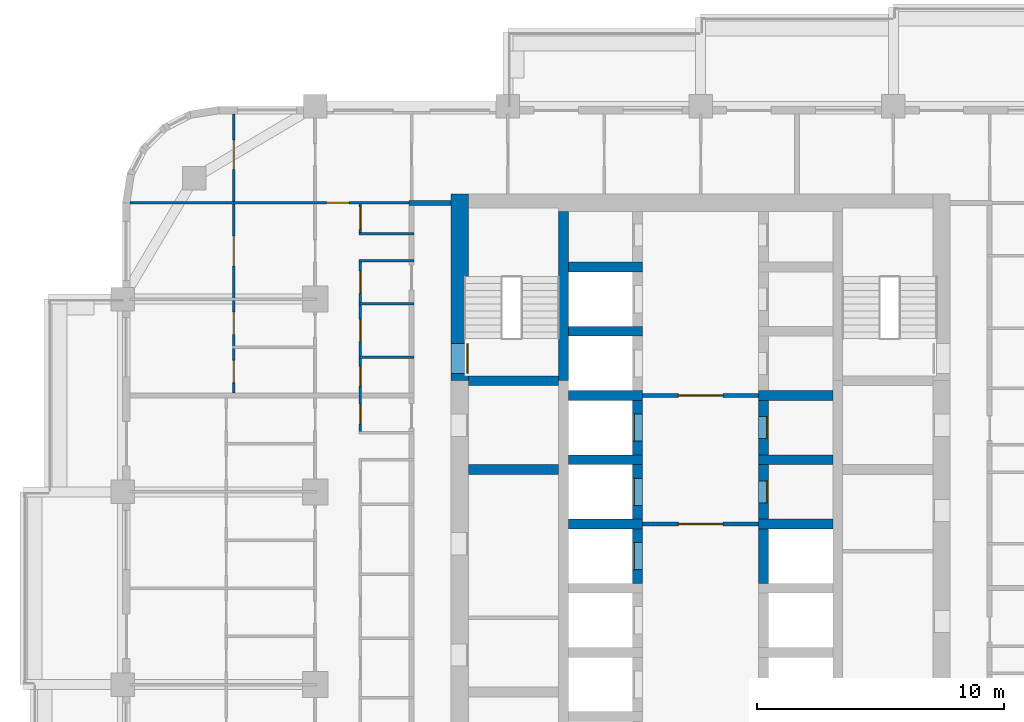
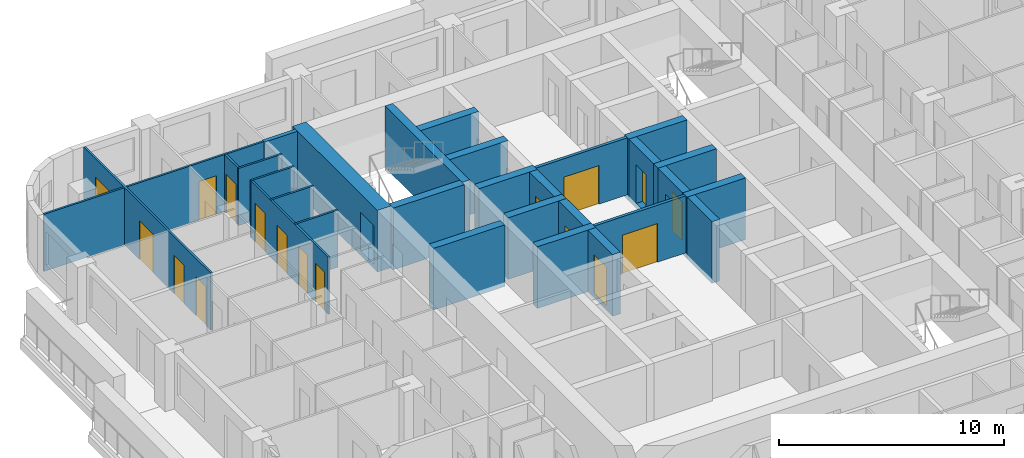
# One storey, part 10 of 17: 29 walls, 18 doors, 18 openings.
"""IFC4 building model written with IfcOpenShell, lengths in metres."""

from ifc_helpers import new_model, si_unit, direction, frame, frame_2d, origin, place, context, subcontext, project, spatial, rectangle, extrude, material, layer, layer_set, type_object, element, fill, save


model = new_model("IFC4")

# Units and contexts
model_context = context("Model", 3, precision=1e-05, world=origin(), true_north=direction((0.0, 1.0)))
body_context = subcontext(model_context, "Body", "Model", "MODEL_VIEW")
ifc_project = project(units=[si_unit("LENGTHUNIT", "METRE"), si_unit("AREAUNIT", "SQUARE_METRE"), si_unit("VOLUMEUNIT", "CUBIC_METRE"), si_unit("PLANEANGLEUNIT", "RADIAN"), si_unit("MASSUNIT", "GRAM", prefix="KILO")], contexts=[model_context])

# Site, building, storey
site_placement = place(None, origin())
site = spatial("IfcSite", under=ifc_project, at=site_placement, CompositionType="ELEMENT")
building_placement = place(site_placement, origin())
building = spatial("IfcBuilding", under=site, at=building_placement, Name="Ludao Terraces", CompositionType="ELEMENT")
storey_placement = place(building_placement, frame((0.0, 0.0, 92.0)))
storey = spatial("IfcBuildingStorey", under=building, at=storey_placement, Name="L25", CompositionType="ELEMENT", Elevation=92.0)

# Wall, opening, door
ifc_material_1 = material(Name="Concrete C70", Category="concrete")
ifc_layer_1 = layer(ifc_material_1, 0.699951171875)
ifc_layer_set_1 = layer_set([ifc_layer_1], Name="Core wall 700 C70")
wall_type_1 = type_object("IfcWallType", Name="Core wall 700 C70", PredefinedType="SOLIDWALL", material=ifc_layer_set_1)
wall_1_placement = place(storey_placement, frame((75.25, 77.300048828125, -0.25), z_axis=(0.0, 0.0, 1.0), x_axis=(0.0, 1.0, 0.0)))
wall_1 = element("IfcWall", 1, at=wall_1_placement, inside=storey, type_object=wall_type_1, Name="Core wall L25 outer-W-S1", PredefinedType="SOLIDWALL", context=body_context, shape_type="SweptSolid", body=[
    extrude(rectangle(XDim=7.550048828125, YDim=0.699951171875, at=frame_2d((3.77490234375, 0.0))), origin(), (0.0, 0.0, 1.0), 3.35009765625),
])
opening_1_placement = place(wall_1_placement, frame((0.300048828125, 0.0, 0.25)))
opening_1 = element("IfcOpeningElement", 2, at=opening_1_placement, cuts=wall_1, Name="Opening R07-131", PredefinedType="OPENING", context=body_context, shape_type="SweptSolid", body=[
    extrude(rectangle(XDim=1.199951171875, YDim=2.10009765625, at=frame_2d((0.60009765625, 1.050048828125))), frame((0.0, 0.35986328125, 0.0), z_axis=(0.0, -1.0, 0.0), x_axis=(1.0, 0.0, 0.0)), (0.0, 0.0, 1.0), 0.719970703125),
])
ifc_material_2 = material(Name="Steel Q235", Category="steel")
door_type_1 = type_object("IfcDoorType", Name="INT Stair door 1200", OperationType="DOUBLE_DOOR_SINGLE_SWING", PredefinedType="DOOR", material=ifc_material_2)
door_1_placement = place(opening_1_placement, origin())
door_1 = element("IfcDoor", 3, at=door_1_placement, inside=storey, type_object=door_type_1, Name="DOOR 131", OperationType="DOUBLE_DOOR_SINGLE_SWING", OverallHeight=2.10009765625, OverallWidth=1.199951171875, PredefinedType="DOOR", context=body_context, shape_type="SweptSolid", body=[
    extrude(rectangle(XDim=1.199951171875, YDim=2.10009765625, at=frame_2d((0.60009765625, 1.050048828125))), frame((0.0, -0.28515625, 0.0), z_axis=(0.0, -1.0, 0.0), x_axis=(1.0, 0.0, 0.0)), (0.0, 0.0, 1.0), 0.050048828125),
])
fill(opening_1, door_1)

ifc_material_3 = material(Name="Fire-rated gypsum plasterboard", Category="gypsum")
ifc_layer_2 = layer(ifc_material_3, 0.012451171875, Category="gypsum")
ifc_material_4 = material(Name="Mineral wool")
ifc_layer_3 = layer(ifc_material_4, 0.10009765625, Name="insulation")
ifc_layer_4 = layer(ifc_material_2, 0.02490234375, Name="stud")
ifc_layer_5 = layer(ifc_material_3, 0.012451171875, Category="gypsum")
ifc_layer_set_2 = layer_set([ifc_layer_2, ifc_layer_3, ifc_layer_4, ifc_layer_5], Name="INT Core partition 150")
wall_type_2 = type_object("IfcWallType", Name="INT Core partition 150", PredefinedType="PARTITIONING", material=ifc_layer_set_2)
wall_2_placement = place(storey_placement, frame((82.650146484375, 71.5, 0.0), z_axis=(0.0, 0.0, 1.0), x_axis=(1.0, 0.0, 0.0)))
wall_2 = element("IfcWall", 4, at=wall_2_placement, inside=storey, type_object=wall_type_2, Name="PW-L25-PW052", PredefinedType="PARTITIONING", context=body_context, shape_type="SweptSolid", body=[
    extrude(rectangle(XDim=4.699951171875, YDim=0.14990234375, at=frame_2d((2.35009765625, 0.0))), origin(), (0.0, 0.0, 1.0), 3.10009765625),
])
opening_2_placement = place(wall_2_placement, frame((1.449951171875, 0.0, 0.0)))
opening_2 = element("IfcOpeningElement", 5, at=opening_2_placement, cuts=wall_2, Name="Opening R07-103", PredefinedType="OPENING", context=body_context, shape_type="SweptSolid", body=[
    extrude(rectangle(XDim=1.800048828125, YDim=2.10009765625, at=frame_2d((0.89990234375, 1.050048828125))), frame((0.0, 0.0849609375, 0.0), z_axis=(0.0, -1.0, 0.0), x_axis=(1.0, 0.0, 0.0)), (0.0, 0.0, 1.0), 0.169921875),
])
door_type_2 = type_object("IfcDoorType", Name="INT Fire lobby door 1800", OperationType="DOUBLE_DOOR_SINGLE_SWING", PredefinedType="DOOR", material=ifc_material_2)
door_2_placement = place(opening_2_placement, origin())
door_2 = element("IfcDoor", 6, at=door_2_placement, inside=storey, type_object=door_type_2, Name="DOOR 103", OperationType="DOUBLE_DOOR_SINGLE_SWING", OverallHeight=2.10009765625, OverallWidth=1.800048828125, PredefinedType="DOOR", context=body_context, shape_type="SweptSolid", body=[
    extrude(rectangle(XDim=1.800048828125, YDim=2.10009765625, at=frame_2d((0.89990234375, 1.050048828125))), frame((0.0, 0.02490234375, 0.0), z_axis=(0.0, -1.0, 0.0), x_axis=(1.0, 0.0, 0.0)), (0.0, 0.0, 1.0), 0.050048828125),
])
fill(opening_2, door_2)

wall_3_placement = place(storey_placement, frame((82.650146484375, 76.699951171875, 0.0), z_axis=(0.0, 0.0, 1.0), x_axis=(1.0, 0.0, 0.0)))
wall_3 = element("IfcWall", 7, at=wall_3_placement, inside=storey, type_object=wall_type_2, Name="PW-L25-PW062", PredefinedType="PARTITIONING", context=body_context, shape_type="SweptSolid", body=[
    extrude(rectangle(XDim=4.699951171875, YDim=0.14990234375, at=frame_2d((2.35009765625, 0.0))), origin(), (0.0, 0.0, 1.0), 3.10009765625),
])
opening_3_placement = place(wall_3_placement, frame((1.449951171875, 0.0, 0.0)))
opening_3 = element("IfcOpeningElement", 8, at=opening_3_placement, cuts=wall_3, Name="Opening R07-126", PredefinedType="OPENING", context=body_context, shape_type="SweptSolid", body=[
    extrude(rectangle(XDim=1.800048828125, YDim=2.10009765625, at=frame_2d((0.89990234375, 1.050048828125))), frame((0.0, 0.0849609375, 0.0), z_axis=(0.0, -1.0, 0.0), x_axis=(1.0, 0.0, 0.0)), (0.0, 0.0, 1.0), 0.169921875),
])
door_3_placement = place(opening_3_placement, origin())
door_3 = element("IfcDoor", 9, at=door_3_placement, inside=storey, type_object=door_type_2, Name="DOOR 126", OperationType="DOUBLE_DOOR_SINGLE_SWING", OverallHeight=2.10009765625, OverallWidth=1.800048828125, PredefinedType="DOOR", context=body_context, shape_type="SweptSolid", body=[
    extrude(rectangle(XDim=1.800048828125, YDim=2.10009765625, at=frame_2d((0.89990234375, 1.050048828125))), frame((0.0, 0.02490234375, 0.0), z_axis=(0.0, -1.0, 0.0), x_axis=(1.0, 0.0, 0.0)), (0.0, 0.0, 1.0), 0.050048828125),
])
fill(opening_3, door_3)

# Walls
ifc_material_5 = material(Name="Autoclaved aerated concrete block B06 A3.5", Category="concrete")
ifc_layer_6 = layer(ifc_material_5, 0.199951171875)
ifc_layer_set_3 = layer_set([ifc_layer_6], Name="INT Entrance wall 200")
wall_type_3 = type_object("IfcWallType", Name="INT Entrance wall 200", PredefinedType="PARTITIONING", material=ifc_layer_set_3)
wall_4_placement = place(storey_placement, frame((73.2001953125, 84.5, 0.0), z_axis=(0.0, 0.0, 1.0), x_axis=(1.0, 0.0, 0.0)))
element("IfcWall", 10, at=wall_4_placement, inside=storey, type_object=wall_type_3, Name="PW-L25-PW076", PredefinedType="PARTITIONING", context=body_context, shape_type="SweptSolid", body=[
    extrude(rectangle(XDim=1.699951171875, YDim=0.199951171875, at=frame_2d((0.85009765625, 0.0))), origin(), (0.0, 0.0, 1.0), 3.10009765625),
])
ifc_material_6 = material(Name="Gypsum plasterboard", Category="gypsum")
ifc_layer_7 = layer(ifc_material_6, 0.012451171875, Category="gypsum")
ifc_layer_8 = layer(ifc_material_4, 0.06005859375, Name="insulation")
ifc_layer_9 = layer(ifc_material_2, 0.014892578125, Name="stud")
ifc_layer_10 = layer(ifc_material_6, 0.012451171875, Category="gypsum")
ifc_layer_set_4 = layer_set([ifc_layer_7, ifc_layer_8, ifc_layer_9, ifc_layer_10], Name="INT Partition 100")
wall_type_4 = type_object("IfcWallType", Name="INT Partition 100", PredefinedType="PARTITIONING", material=ifc_layer_set_4)
for number, where, z_axis, x_axis, name in (
    (11, (71.18017578125, 78.25, 0.0), (0.0, 0.0, 1.0), (1.0, 0.0, 0.0), "PW-L25-PW065"),
    (12, (71.18017578125, 80.419921875, 0.0), (0.0, 0.0, 1.0), (1.0, 0.0, 0.0), "PW-L25-PW068"),
    (13, (71.18017578125, 82.14990234375, 0.0), (0.0, 0.0, 1.0), (1.0, 0.0, 0.0), "PW-L25-PW071"),
    (14, (71.18017578125, 83.25, 0.0), (0.0, 0.0, 1.0), (1.0, 0.0, 0.0), "PW-L25-PW074"),
):
    element("IfcWall", number, at=place(storey_placement, frame(where, z_axis=z_axis, x_axis=x_axis)), inside=storey, type_object=wall_type_4, Name=name, PredefinedType="PARTITIONING", context=body_context, shape_type="SweptSolid", body=[
        extrude(rectangle(XDim=2.219970703125, YDim=0.10009765625, at=frame_2d((1.10986328125, 0.0))), origin(), (0.0, 0.0, 1.0), 3.10009765625),
    ])

# Wall, opening, door
wall_5_placement = place(storey_placement, frame((61.900146484375, 84.5, 0.0), z_axis=(0.0, 0.0, 1.0), x_axis=(1.0, 0.0, 0.0)))
wall_5 = element("IfcWall", 15, at=wall_5_placement, inside=storey, type_object=wall_type_4, Name="PW-L25-PW075", PredefinedType="PARTITIONING", context=body_context, shape_type="SweptSolid", body=[
    extrude(rectangle(XDim=11.5, YDim=0.10009765625, at=frame_2d((5.75, 0.0))), origin(), (0.0, 0.0, 1.0), 3.10009765625),
])
opening_4_placement = place(wall_5_placement, frame((7.965087890625, 0.0, 0.0)))
opening_4 = element("IfcOpeningElement", 16, at=opening_4_placement, cuts=wall_5, Name="Opening R07-153", PredefinedType="OPENING", context=body_context, shape_type="SweptSolid", body=[
    extrude(rectangle(XDim=0.89990234375, YDim=2.10009765625, at=frame_2d((0.449951171875, 1.050048828125))), frame((0.0, 0.06005859375, 0.0), z_axis=(0.0, -1.0, 0.0), x_axis=(1.0, 0.0, 0.0)), (0.0, 0.0, 1.0), 0.1201171875),
])
ifc_material_7 = material(Name="Timber door leaf", Category="wood")
door_type_3 = type_object("IfcDoorType", Name="INT Room door 900", OperationType="SINGLE_SWING_LEFT", PredefinedType="DOOR", material=ifc_material_7)
door_4_placement = place(opening_4_placement, origin())
door_4 = element("IfcDoor", 17, at=door_4_placement, inside=storey, type_object=door_type_3, Name="DOOR 153", OperationType="SINGLE_SWING_RIGHT", OverallHeight=2.10009765625, OverallWidth=0.89990234375, PredefinedType="DOOR", context=body_context, shape_type="SweptSolid", body=[
    extrude(rectangle(XDim=0.89990234375, YDim=2.10009765625, at=frame_2d((0.449951171875, 1.050048828125))), frame((0.0, 0.02490234375, 0.0), z_axis=(0.0, -1.0, 0.0), x_axis=(1.0, 0.0, 0.0)), (0.0, 0.0, 1.0), 0.050048828125),
])
fill(opening_4, door_4)

# Wall, openings, doors
wall_6_placement = place(storey_placement, frame((66.10009765625, 76.800048828125, 0.0), z_axis=(0.0, 0.0, 1.0), x_axis=(0.0, 1.0, 0.0)))
wall_6 = element("IfcWall", 18, at=wall_6_placement, inside=storey, type_object=wall_type_4, Name="PW-L25-PW081", PredefinedType="PARTITIONING", context=body_context, shape_type="SweptSolid", body=[
    extrude(rectangle(XDim=11.300048828125, YDim=0.10009765625, at=frame_2d((5.64990234375, 0.0))), origin(), (0.0, 0.0, 1.0), 3.10009765625),
])
opening_5_placement = place(wall_6_placement, frame((0.425048828125, 0.0, 0.0)))
opening_5 = element("IfcOpeningElement", 19, at=opening_5_placement, cuts=wall_6, Name="Opening R07-128", PredefinedType="OPENING", context=body_context, shape_type="SweptSolid", body=[
    extrude(rectangle(XDim=0.89990234375, YDim=2.10009765625, at=frame_2d((0.449951171875, 1.050048828125))), frame((0.0, 0.06005859375, 0.0), z_axis=(0.0, -1.0, 0.0), x_axis=(1.0, 0.0, 0.0)), (0.0, 0.0, 1.0), 0.1201171875),
])
opening_6_placement = place(wall_6_placement, frame((2.375, 0.0, 0.0)))
opening_6 = element("IfcOpeningElement", 20, at=opening_6_placement, cuts=wall_6, Name="Opening R07-138", PredefinedType="OPENING", context=body_context, shape_type="SweptSolid", body=[
    extrude(rectangle(XDim=0.89990234375, YDim=2.10009765625, at=frame_2d((0.449951171875, 1.050048828125))), frame((0.0, 0.06005859375, 0.0), z_axis=(0.0, -1.0, 0.0), x_axis=(1.0, 0.0, 0.0)), (0.0, 0.0, 1.0), 0.1201171875),
])
opening_7_placement = place(wall_6_placement, frame((5.14990234375, 0.0, 0.0)))
opening_7 = element("IfcOpeningElement", 21, at=opening_7_placement, cuts=wall_6, Name="Opening R07-145", PredefinedType="OPENING", context=body_context, shape_type="SweptSolid", body=[
    extrude(rectangle(XDim=1.199951171875, YDim=2.10009765625, at=frame_2d((0.60009765625, 1.050048828125))), frame((0.0, 0.06005859375, 0.0), z_axis=(0.0, -1.0, 0.0), x_axis=(1.0, 0.0, 0.0)), (0.0, 0.0, 1.0), 0.1201171875),
])
opening_8_placement = place(wall_6_placement, frame((9.050048828125, 0.0, 0.0)))
opening_8 = element("IfcOpeningElement", 22, at=opening_8_placement, cuts=wall_6, Name="Opening R07-155", PredefinedType="OPENING", context=body_context, shape_type="SweptSolid", body=[
    extrude(rectangle(XDim=1.199951171875, YDim=2.10009765625, at=frame_2d((0.60009765625, 1.050048828125))), frame((0.0, 0.06005859375, 0.0), z_axis=(0.0, -1.0, 0.0), x_axis=(1.0, 0.0, 0.0)), (0.0, 0.0, 1.0), 0.1201171875),
])
door_type_4 = type_object("IfcDoorType", Name="INT Bathroom door 900", OperationType="SINGLE_SWING_LEFT", PredefinedType="DOOR", material=ifc_material_7)
door_5_placement = place(opening_5_placement, origin())
door_5 = element("IfcDoor", 23, at=door_5_placement, inside=storey, type_object=door_type_4, Name="DOOR 128", OperationType="SINGLE_SWING_RIGHT", OverallHeight=2.10009765625, OverallWidth=0.89990234375, PredefinedType="DOOR", context=body_context, shape_type="SweptSolid", body=[
    extrude(rectangle(XDim=0.89990234375, YDim=2.10009765625, at=frame_2d((0.449951171875, 1.050048828125))), frame((0.0, 0.02490234375, 0.0), z_axis=(0.0, -1.0, 0.0), x_axis=(1.0, 0.0, 0.0)), (0.0, 0.0, 1.0), 0.050048828125),
])
fill(opening_5, door_5)
door_type_5 = type_object("IfcDoorType", Name="INT Double door 1200", OperationType="DOUBLE_DOOR_SINGLE_SWING", PredefinedType="DOOR", material=ifc_material_7)
door_6_placement = place(opening_7_placement, origin())
door_6 = element("IfcDoor", 24, at=door_6_placement, inside=storey, type_object=door_type_5, Name="DOOR 145", OperationType="DOUBLE_DOOR_SINGLE_SWING", OverallHeight=2.10009765625, OverallWidth=1.199951171875, PredefinedType="DOOR", context=body_context, shape_type="SweptSolid", body=[
    extrude(rectangle(XDim=1.199951171875, YDim=2.10009765625, at=frame_2d((0.60009765625, 1.050048828125))), frame((0.0, 0.02490234375, 0.0), z_axis=(0.0, -1.0, 0.0), x_axis=(1.0, 0.0, 0.0)), (0.0, 0.0, 1.0), 0.050048828125),
])
fill(opening_7, door_6)
door_7_placement = place(opening_8_placement, origin())
door_7 = element("IfcDoor", 25, at=door_7_placement, inside=storey, type_object=door_type_5, Name="DOOR 155", OperationType="DOUBLE_DOOR_SINGLE_SWING", OverallHeight=2.10009765625, OverallWidth=1.199951171875, PredefinedType="DOOR", context=body_context, shape_type="SweptSolid", body=[
    extrude(rectangle(XDim=1.199951171875, YDim=2.10009765625, at=frame_2d((0.60009765625, 1.050048828125))), frame((0.0, 0.02490234375, 0.0), z_axis=(0.0, -1.0, 0.0), x_axis=(1.0, 0.0, 0.0)), (0.0, 0.0, 1.0), 0.050048828125),
])
fill(opening_8, door_7)
door_8_placement = place(opening_6_placement, origin())
door_8 = element("IfcDoor", 26, at=door_8_placement, inside=storey, type_object=door_type_3, Name="DOOR 138", OperationType="SINGLE_SWING_RIGHT", OverallHeight=2.10009765625, OverallWidth=0.89990234375, PredefinedType="DOOR", context=body_context, shape_type="SweptSolid", body=[
    extrude(rectangle(XDim=0.89990234375, YDim=2.10009765625, at=frame_2d((0.449951171875, 1.050048828125))), frame((0.0, 0.02490234375, 0.0), z_axis=(0.0, -1.0, 0.0), x_axis=(1.0, 0.0, 0.0)), (0.0, 0.0, 1.0), 0.050048828125),
])
fill(opening_6, door_8)

wall_7_placement = place(storey_placement, frame((71.22998046875, 75.25, 0.0), z_axis=(0.0, 0.0, 1.0), x_axis=(0.0, 1.0, 0.0)))
wall_7 = element("IfcWall", 27, at=wall_7_placement, inside=storey, type_object=wall_type_4, Name="PW-L25-PW085", PredefinedType="PARTITIONING", context=body_context, shape_type="SweptSolid", body=[
    extrude(rectangle(XDim=6.85009765625, YDim=0.10009765625, at=frame_2d((3.425048828125, 0.0))), origin(), (0.0, 0.0, 1.0), 3.10009765625),
])
opening_9_placement = place(wall_7_placement, frame((0.300048828125, 0.0, 0.0)))
opening_9 = element("IfcOpeningElement", 28, at=opening_9_placement, cuts=wall_7, Name="Opening R07-125", PredefinedType="OPENING", context=body_context, shape_type="SweptSolid", body=[
    extrude(rectangle(XDim=0.800048828125, YDim=2.10009765625, at=frame_2d((0.39990234375, 1.050048828125))), frame((0.0, 0.06005859375, 0.0), z_axis=(0.0, -1.0, 0.0), x_axis=(1.0, 0.0, 0.0)), (0.0, 0.0, 1.0), 0.1201171875),
])
opening_10_placement = place(wall_7_placement, frame((1.8251953125, 0.0, 0.0)))
opening_10 = element("IfcOpeningElement", 29, at=opening_10_placement, cuts=wall_7, Name="Opening R07-127", PredefinedType="OPENING", context=body_context, shape_type="SweptSolid", body=[
    extrude(rectangle(XDim=0.800048828125, YDim=2.10009765625, at=frame_2d((0.39990234375, 1.050048828125))), frame((0.0, 0.06005859375, 0.0), z_axis=(0.0, -1.0, 0.0), x_axis=(1.0, 0.0, 0.0)), (0.0, 0.0, 1.0), 0.1201171875),
])
opening_11_placement = place(wall_7_placement, frame((3.635009765625, 0.0, 0.0)))
opening_11 = element("IfcOpeningElement", 30, at=opening_11_placement, cuts=wall_7, Name="Opening R07-136", PredefinedType="OPENING", context=body_context, shape_type="SweptSolid", body=[
    extrude(rectangle(XDim=0.89990234375, YDim=2.10009765625, at=frame_2d((0.449951171875, 1.050048828125))), frame((0.0, 0.06005859375, 0.0), z_axis=(0.0, -1.0, 0.0), x_axis=(1.0, 0.0, 0.0)), (0.0, 0.0, 1.0), 0.1201171875),
])
opening_12_placement = place(wall_7_placement, frame((5.585205078125, 0.0, 0.0)))
opening_12 = element("IfcOpeningElement", 31, at=opening_12_placement, cuts=wall_7, Name="Opening R07-142", PredefinedType="OPENING", context=body_context, shape_type="SweptSolid", body=[
    extrude(rectangle(XDim=0.89990234375, YDim=2.10009765625, at=frame_2d((0.449951171875, 1.050048828125))), frame((0.0, 0.06005859375, 0.0), z_axis=(0.0, -1.0, 0.0), x_axis=(1.0, 0.0, 0.0)), (0.0, 0.0, 1.0), 0.1201171875),
])
door_9_placement = place(opening_12_placement, origin())
door_9 = element("IfcDoor", 32, at=door_9_placement, inside=storey, type_object=door_type_4, Name="DOOR 142", OperationType="SINGLE_SWING_RIGHT", OverallHeight=2.10009765625, OverallWidth=0.89990234375, PredefinedType="DOOR", context=body_context, shape_type="SweptSolid", body=[
    extrude(rectangle(XDim=0.89990234375, YDim=2.10009765625, at=frame_2d((0.449951171875, 1.050048828125))), frame((0.0, 0.02490234375, 0.0), z_axis=(0.0, -1.0, 0.0), x_axis=(1.0, 0.0, 0.0)), (0.0, 0.0, 1.0), 0.050048828125),
])
fill(opening_12, door_9)
door_10_placement = place(opening_11_placement, origin())
door_10 = element("IfcDoor", 33, at=door_10_placement, inside=storey, type_object=door_type_3, Name="DOOR 136", OperationType="SINGLE_SWING_LEFT", OverallHeight=2.10009765625, OverallWidth=0.89990234375, PredefinedType="DOOR", context=body_context, shape_type="SweptSolid", body=[
    extrude(rectangle(XDim=0.89990234375, YDim=2.10009765625, at=frame_2d((0.449951171875, 1.050048828125))), frame((0.0, 0.02490234375, 0.0), z_axis=(0.0, -1.0, 0.0), x_axis=(1.0, 0.0, 0.0)), (0.0, 0.0, 1.0), 0.050048828125),
])
fill(opening_11, door_10)
door_type_6 = type_object("IfcDoorType", Name="INT Store door 800", OperationType="SINGLE_SWING_LEFT", PredefinedType="DOOR", material=ifc_material_7)
door_11_placement = place(opening_9_placement, origin())
door_11 = element("IfcDoor", 34, at=door_11_placement, inside=storey, type_object=door_type_6, Name="DOOR 125", OperationType="SINGLE_SWING_LEFT", OverallHeight=2.10009765625, OverallWidth=0.800048828125, PredefinedType="DOOR", context=body_context, shape_type="SweptSolid", body=[
    extrude(rectangle(XDim=0.800048828125, YDim=2.10009765625, at=frame_2d((0.39990234375, 1.050048828125))), frame((0.0, 0.02490234375, 0.0), z_axis=(0.0, -1.0, 0.0), x_axis=(1.0, 0.0, 0.0)), (0.0, 0.0, 1.0), 0.050048828125),
])
fill(opening_9, door_11)
door_12_placement = place(opening_10_placement, origin())
door_12 = element("IfcDoor", 35, at=door_12_placement, inside=storey, type_object=door_type_6, Name="DOOR 127", OperationType="SINGLE_SWING_RIGHT", OverallHeight=2.10009765625, OverallWidth=0.800048828125, PredefinedType="DOOR", context=body_context, shape_type="SweptSolid", body=[
    extrude(rectangle(XDim=0.800048828125, YDim=2.10009765625, at=frame_2d((0.39990234375, 1.050048828125))), frame((0.0, 0.02490234375, 0.0), z_axis=(0.0, -1.0, 0.0), x_axis=(1.0, 0.0, 0.0)), (0.0, 0.0, 1.0), 0.050048828125),
])
fill(opening_10, door_12)

# Wall, opening, door
wall_8_placement = place(storey_placement, frame((71.22998046875, 83.300048828125, 0.0), z_axis=(0.0, 0.0, 1.0), x_axis=(0.0, 1.0, 0.0)))
wall_8 = element("IfcWall", 36, at=wall_8_placement, inside=storey, type_object=wall_type_4, Name="PW-L25-PW086", PredefinedType="PARTITIONING", context=body_context, shape_type="SweptSolid", body=[
    extrude(rectangle(XDim=1.150146484375, YDim=0.10009765625, at=frame_2d((0.5751953125, 0.0))), origin(), (0.0, 0.0, 1.0), 3.10009765625),
])
opening_13_placement = place(wall_8_placement, frame((0.125, 0.0, 0.0)))
opening_13 = element("IfcOpeningElement", 37, at=opening_13_placement, cuts=wall_8, Name="Opening R07-152", PredefinedType="OPENING", context=body_context, shape_type="SweptSolid", body=[
    extrude(rectangle(XDim=0.89990234375, YDim=2.10009765625, at=frame_2d((0.449951171875, 1.050048828125))), frame((0.0, 0.06005859375, 0.0), z_axis=(0.0, -1.0, 0.0), x_axis=(1.0, 0.0, 0.0)), (0.0, 0.0, 1.0), 0.1201171875),
])
door_13_placement = place(opening_13_placement, origin())
door_13 = element("IfcDoor", 38, at=door_13_placement, inside=storey, type_object=door_type_4, Name="DOOR 152", OperationType="SINGLE_SWING_RIGHT", OverallHeight=2.10009765625, OverallWidth=0.89990234375, PredefinedType="DOOR", context=body_context, shape_type="SweptSolid", body=[
    extrude(rectangle(XDim=0.89990234375, YDim=2.10009765625, at=frame_2d((0.449951171875, 1.050048828125))), frame((0.0, 0.02490234375, 0.0), z_axis=(0.0, -1.0, 0.0), x_axis=(1.0, 0.0, 0.0)), (0.0, 0.0, 1.0), 0.050048828125),
])
fill(opening_13, door_13)

# Wall
ifc_material_8 = material(Name="Concrete C60", Category="concrete")
ifc_layer_11 = layer(ifc_material_8, 0.39990234375)
ifc_layer_set_5 = layer_set([ifc_layer_11], Name="Shaft wall 400 C60")
wall_type_5 = type_object("IfcWallType", Name="Shaft wall 400 C60", PredefinedType="SOLIDWALL", material=ifc_layer_set_5)
wall_9_placement = place(storey_placement, frame((79.449951171875, 77.300048828125, -0.25), z_axis=(0.0, 0.0, 1.0), x_axis=(0.0, 1.0, 0.0)))
element("IfcWall", 39, at=wall_9_placement, inside=storey, type_object=wall_type_5, Name="Core wall L25 back-W-S1", PredefinedType="SOLIDWALL", context=body_context, shape_type="SweptSolid", body=[
    extrude(rectangle(XDim=6.849853515625, YDim=0.39990234375, at=frame_2d((3.4248046875, 0.0))), origin(), (0.0, 0.0, 1.0), 3.35009765625),
])

# Wall, opening, door
wall_10_placement = place(storey_placement, frame((82.449951171875, 69.10009765625, -0.25), z_axis=(0.0, 0.0, 1.0), x_axis=(0.0, 1.0, 0.0)))
wall_10 = element("IfcWall", 40, at=wall_10_placement, inside=storey, type_object=wall_type_5, Name="Core wall L25 front-W4", PredefinedType="SOLIDWALL", context=body_context, shape_type="SweptSolid", body=[
    extrude(rectangle(XDim=2.199951171875, YDim=0.39990234375, at=frame_2d((1.10009765625, 0.0))), origin(), (0.0, 0.0, 1.0), 3.35009765625),
])
opening_14_placement = place(wall_10_placement, frame((0.550048828125, 0.0, 0.25)))
opening_14 = element("IfcOpeningElement", 41, at=opening_14_placement, cuts=wall_10, Name="Opening LD-LA4", PredefinedType="OPENING", context=body_context, shape_type="SweptSolid", body=[
    extrude(rectangle(XDim=1.10009765625, YDim=2.10009765625, at=frame_2d((0.550048828125, 1.050048828125))), frame((0.0, 0.2099609375, 0.0), z_axis=(0.0, -1.0, 0.0), x_axis=(1.0, 0.0, 0.0)), (0.0, 0.0, 1.0), 0.419921875),
])
ifc_material_9 = material(Name="Stainless steel 304", Category="steel")
door_type_7 = type_object("IfcDoorType", Name="INT Lift landing door 1100", OperationType="SLIDING_TO_LEFT", PredefinedType="DOOR", material=ifc_material_9)
door_14_placement = place(opening_14_placement, origin())
door_14 = element("IfcDoor", 42, at=door_14_placement, inside=storey, type_object=door_type_7, Name="LANDING DOOR LA4 L25", OperationType="SLIDING_TO_LEFT", OverallHeight=2.10009765625, OverallWidth=1.10009765625, PredefinedType="DOOR", context=body_context, shape_type="SweptSolid", body=[
    extrude(rectangle(XDim=1.10009765625, YDim=2.10009765625, at=frame_2d((0.550048828125, 1.050048828125))), frame((0.0, 0.18505859375, 0.0), z_axis=(0.0, -1.0, 0.0), x_axis=(1.0, 0.0, 0.0)), (0.0, 0.0, 1.0), 0.050048828125),
])
fill(opening_14, door_14)

# Wall
wall_11_placement = place(storey_placement, frame((79.64990234375, 71.5, -0.25), z_axis=(0.0, 0.0, 1.0), x_axis=(1.0, 0.0, 0.0)))
element("IfcWall", 43, at=wall_11_placement, inside=storey, type_object=wall_type_5, Name="Core wall L25 div-W5", PredefinedType="SOLIDWALL", context=body_context, shape_type="SweptSolid", body=[
    extrude(rectangle(XDim=3.0, YDim=0.39990234375, at=frame_2d((1.5, 0.0))), origin(), (0.0, 0.0, 1.0), 3.35009765625),
])

# Wall, opening, door
wall_12_placement = place(storey_placement, frame((82.449951171875, 71.699951171875, -0.25), z_axis=(0.0, 0.0, 1.0), x_axis=(0.0, 1.0, 0.0)))
wall_12 = element("IfcWall", 44, at=wall_12_placement, inside=storey, type_object=wall_type_5, Name="Core wall L25 front-W5", PredefinedType="SOLIDWALL", context=body_context, shape_type="SweptSolid", body=[
    extrude(rectangle(XDim=2.199951171875, YDim=0.39990234375, at=frame_2d((1.10009765625, 0.0))), origin(), (0.0, 0.0, 1.0), 3.35009765625),
])
opening_15_placement = place(wall_12_placement, frame((0.550048828125, 0.0, 0.25)))
opening_15 = element("IfcOpeningElement", 45, at=opening_15_placement, cuts=wall_12, Name="Opening LD-LA5", PredefinedType="OPENING", context=body_context, shape_type="SweptSolid", body=[
    extrude(rectangle(XDim=1.10009765625, YDim=2.10009765625, at=frame_2d((0.550048828125, 1.050048828125))), frame((0.0, 0.2099609375, 0.0), z_axis=(0.0, -1.0, 0.0), x_axis=(1.0, 0.0, 0.0)), (0.0, 0.0, 1.0), 0.419921875),
])
door_15_placement = place(opening_15_placement, origin())
door_15 = element("IfcDoor", 46, at=door_15_placement, inside=storey, type_object=door_type_7, Name="LANDING DOOR LA5 L25", OperationType="SLIDING_TO_LEFT", OverallHeight=2.10009765625, OverallWidth=1.10009765625, PredefinedType="DOOR", context=body_context, shape_type="SweptSolid", body=[
    extrude(rectangle(XDim=1.10009765625, YDim=2.10009765625, at=frame_2d((0.550048828125, 1.050048828125))), frame((0.0, 0.18505859375, 0.0), z_axis=(0.0, -1.0, 0.0), x_axis=(1.0, 0.0, 0.0)), (0.0, 0.0, 1.0), 0.050048828125),
])
fill(opening_15, door_15)

# Wall
wall_13_placement = place(storey_placement, frame((79.64990234375, 74.10009765625, -0.25), z_axis=(0.0, 0.0, 1.0), x_axis=(1.0, 0.0, 0.0)))
element("IfcWall", 47, at=wall_13_placement, inside=storey, type_object=wall_type_5, Name="Core wall L25 div-W6", PredefinedType="SOLIDWALL", context=body_context, shape_type="SweptSolid", body=[
    extrude(rectangle(XDim=3.0, YDim=0.39990234375, at=frame_2d((1.5, 0.0))), origin(), (0.0, 0.0, 1.0), 3.35009765625),
])

# Wall, opening, door
wall_14_placement = place(storey_placement, frame((82.449951171875, 74.300048828125, -0.25), z_axis=(0.0, 0.0, 1.0), x_axis=(0.0, 1.0, 0.0)))
wall_14 = element("IfcWall", 48, at=wall_14_placement, inside=storey, type_object=wall_type_5, Name="Core wall L25 front-W6", PredefinedType="SOLIDWALL", context=body_context, shape_type="SweptSolid", body=[
    extrude(rectangle(XDim=2.199951171875, YDim=0.39990234375, at=frame_2d((1.10009765625, 0.0))), origin(), (0.0, 0.0, 1.0), 3.35009765625),
])
opening_16_placement = place(wall_14_placement, frame((0.550048828125, 0.0, 0.25)))
opening_16 = element("IfcOpeningElement", 49, at=opening_16_placement, cuts=wall_14, Name="Opening LD-LA6", PredefinedType="OPENING", context=body_context, shape_type="SweptSolid", body=[
    extrude(rectangle(XDim=1.10009765625, YDim=2.10009765625, at=frame_2d((0.550048828125, 1.050048828125))), frame((0.0, 0.2099609375, 0.0), z_axis=(0.0, -1.0, 0.0), x_axis=(1.0, 0.0, 0.0)), (0.0, 0.0, 1.0), 0.419921875),
])
door_16_placement = place(opening_16_placement, origin())
door_16 = element("IfcDoor", 50, at=door_16_placement, inside=storey, type_object=door_type_7, Name="LANDING DOOR LA6 L25", OperationType="SLIDING_TO_LEFT", OverallHeight=2.10009765625, OverallWidth=1.10009765625, PredefinedType="DOOR", context=body_context, shape_type="SweptSolid", body=[
    extrude(rectangle(XDim=1.10009765625, YDim=2.10009765625, at=frame_2d((0.550048828125, 1.050048828125))), frame((0.0, 0.18505859375, 0.0), z_axis=(0.0, -1.0, 0.0), x_axis=(1.0, 0.0, 0.0)), (0.0, 0.0, 1.0), 0.050048828125),
])
fill(opening_16, door_16)

# Walls
for number, where, z_axis, x_axis, name in (
    (51, (79.64990234375, 76.699951171875, -0.25), (0.0, 0.0, 1.0), (1.0, 0.0, 0.0), "Core wall L25 div-W7"),
    (52, (79.64990234375, 79.300048828125, -0.25), (0.0, 0.0, 1.0), (1.0, 0.0, 0.0), "Core wall L25 div-W8"),
    (53, (79.64990234375, 81.89990234375, -0.25), (0.0, 0.0, 1.0), (1.0, 0.0, 0.0), "Core wall L25 div-W9"),
):
    element("IfcWall", number, at=place(storey_placement, frame(where, z_axis=z_axis, x_axis=x_axis)), inside=storey, type_object=wall_type_5, Name=name, PredefinedType="SOLIDWALL", context=body_context, shape_type="SweptSolid", body=[
        extrude(rectangle(XDim=3.0, YDim=0.39990234375, at=frame_2d((1.5, 0.0))), origin(), (0.0, 0.0, 1.0), 3.35009765625),
    ])
wall_15_placement = place(storey_placement, frame((87.550048828125, 69.10009765625, -0.25), z_axis=(0.0, 0.0, 1.0), x_axis=(0.0, 1.0, 0.0)))
element("IfcWall", 54, at=wall_15_placement, inside=storey, type_object=wall_type_5, Name="Core wall L25 front-E4", PredefinedType="SOLIDWALL", context=body_context, shape_type="SweptSolid", body=[
    extrude(rectangle(XDim=2.199951171875, YDim=0.39990234375, at=frame_2d((1.10009765625, 0.0))), origin(), (0.0, 0.0, 1.0), 3.35009765625),
])
wall_16_placement = place(storey_placement, frame((87.35009765625, 71.5, -0.25), z_axis=(0.0, 0.0, 1.0), x_axis=(1.0, 0.0, 0.0)))
element("IfcWall", 55, at=wall_16_placement, inside=storey, type_object=wall_type_5, Name="Core wall L25 div-E5", PredefinedType="SOLIDWALL", context=body_context, shape_type="SweptSolid", body=[
    extrude(rectangle(XDim=3.0, YDim=0.39990234375, at=frame_2d((1.5, 0.0))), origin(), (0.0, 0.0, 1.0), 3.35009765625),
])

# Wall, opening, door
wall_17_placement = place(storey_placement, frame((87.550048828125, 71.699951171875, -0.25), z_axis=(0.0, 0.0, 1.0), x_axis=(0.0, 1.0, 0.0)))
wall_17 = element("IfcWall", 56, at=wall_17_placement, inside=storey, type_object=wall_type_5, Name="Core wall L25 front-E5", PredefinedType="SOLIDWALL", context=body_context, shape_type="SweptSolid", body=[
    extrude(rectangle(XDim=2.199951171875, YDim=0.39990234375, at=frame_2d((1.10009765625, 0.0))), origin(), (0.0, 0.0, 1.0), 3.35009765625),
])
opening_17_placement = place(wall_17_placement, frame((0.64990234375, 0.0, 0.25)))
opening_17 = element("IfcOpeningElement", 57, at=opening_17_placement, cuts=wall_17, Name="Opening R07-111", PredefinedType="OPENING", context=body_context, shape_type="SweptSolid", body=[
    extrude(rectangle(XDim=0.89990234375, YDim=2.10009765625, at=frame_2d((0.449951171875, 1.050048828125))), frame((0.0, 0.2099609375, 0.0), z_axis=(0.0, -1.0, 0.0), x_axis=(1.0, 0.0, 0.0)), (0.0, 0.0, 1.0), 0.419921875),
])
door_17_placement = place(opening_17_placement, origin())
door_17 = element("IfcDoor", 58, at=door_17_placement, inside=storey, type_object=door_type_3, Name="DOOR 111", OperationType="SINGLE_SWING_RIGHT", OverallHeight=2.10009765625, OverallWidth=0.89990234375, PredefinedType="DOOR", context=body_context, shape_type="SweptSolid", body=[
    extrude(rectangle(XDim=0.89990234375, YDim=2.10009765625, at=frame_2d((0.449951171875, 1.050048828125))), frame((0.0, -0.134765625, 0.0), z_axis=(0.0, -1.0, 0.0), x_axis=(1.0, 0.0, 0.0)), (0.0, 0.0, 1.0), 0.050048828125),
])
fill(opening_17, door_17)

# Wall
wall_18_placement = place(storey_placement, frame((87.35009765625, 74.10009765625, -0.25), z_axis=(0.0, 0.0, 1.0), x_axis=(1.0, 0.0, 0.0)))
element("IfcWall", 59, at=wall_18_placement, inside=storey, type_object=wall_type_5, Name="Core wall L25 div-E6", PredefinedType="SOLIDWALL", context=body_context, shape_type="SweptSolid", body=[
    extrude(rectangle(XDim=3.0, YDim=0.39990234375, at=frame_2d((1.5, 0.0))), origin(), (0.0, 0.0, 1.0), 3.35009765625),
])

# Wall, opening, door
wall_19_placement = place(storey_placement, frame((87.550048828125, 74.300048828125, -0.25), z_axis=(0.0, 0.0, 1.0), x_axis=(0.0, 1.0, 0.0)))
wall_19 = element("IfcWall", 60, at=wall_19_placement, inside=storey, type_object=wall_type_5, Name="Core wall L25 front-E6", PredefinedType="SOLIDWALL", context=body_context, shape_type="SweptSolid", body=[
    extrude(rectangle(XDim=2.199951171875, YDim=0.39990234375, at=frame_2d((1.10009765625, 0.0))), origin(), (0.0, 0.0, 1.0), 3.35009765625),
])
opening_18_placement = place(wall_19_placement, frame((0.64990234375, 0.0, 0.25)))
opening_18 = element("IfcOpeningElement", 61, at=opening_18_placement, cuts=wall_19, Name="Opening R07-118", PredefinedType="OPENING", context=body_context, shape_type="SweptSolid", body=[
    extrude(rectangle(XDim=0.89990234375, YDim=2.10009765625, at=frame_2d((0.449951171875, 1.050048828125))), frame((0.0, 0.2099609375, 0.0), z_axis=(0.0, -1.0, 0.0), x_axis=(1.0, 0.0, 0.0)), (0.0, 0.0, 1.0), 0.419921875),
])
door_18_placement = place(opening_18_placement, origin())
door_18 = element("IfcDoor", 62, at=door_18_placement, inside=storey, type_object=door_type_3, Name="DOOR 118", OperationType="SINGLE_SWING_RIGHT", OverallHeight=2.10009765625, OverallWidth=0.89990234375, PredefinedType="DOOR", context=body_context, shape_type="SweptSolid", body=[
    extrude(rectangle(XDim=0.89990234375, YDim=2.10009765625, at=frame_2d((0.449951171875, 1.050048828125))), frame((0.0, -0.134765625, 0.0), z_axis=(0.0, -1.0, 0.0), x_axis=(1.0, 0.0, 0.0)), (0.0, 0.0, 1.0), 0.050048828125),
])
fill(opening_18, door_18)

# Walls
wall_20_placement = place(storey_placement, frame((87.35009765625, 76.699951171875, -0.25), z_axis=(0.0, 0.0, 1.0), x_axis=(1.0, 0.0, 0.0)))
element("IfcWall", 63, at=wall_20_placement, inside=storey, type_object=wall_type_5, Name="Core wall L25 div-E7", PredefinedType="SOLIDWALL", context=body_context, shape_type="SweptSolid", body=[
    extrude(rectangle(XDim=3.0, YDim=0.39990234375, at=frame_2d((1.5, 0.0))), origin(), (0.0, 0.0, 1.0), 3.35009765625),
])
for number, where, z_axis, x_axis, name in (
    (64, (75.60009765625, 73.699951171875, -0.25), (0.0, 0.0, 1.0), (1.0, 0.0, 0.0), "Core wall L25 riser-b-W"),
    (65, (75.60009765625, 77.300048828125, -0.25), (0.0, 0.0, 1.0), (1.0, 0.0, 0.0), "Core wall L25 stair-W"),
):
    element("IfcWall", number, at=place(storey_placement, frame(where, z_axis=z_axis, x_axis=x_axis)), inside=storey, type_object=wall_type_5, Name=name, PredefinedType="SOLIDWALL", context=body_context, shape_type="SweptSolid", body=[
        extrude(rectangle(XDim=3.64990234375, YDim=0.39990234375, at=frame_2d((1.824951171875, 0.0))), origin(), (0.0, 0.0, 1.0), 3.35009765625),
    ])

save(model, "model.ifc")
